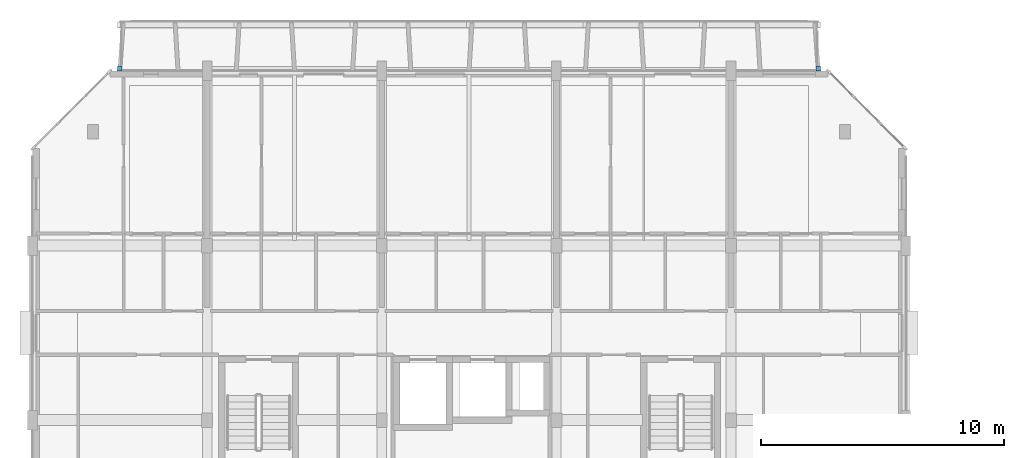
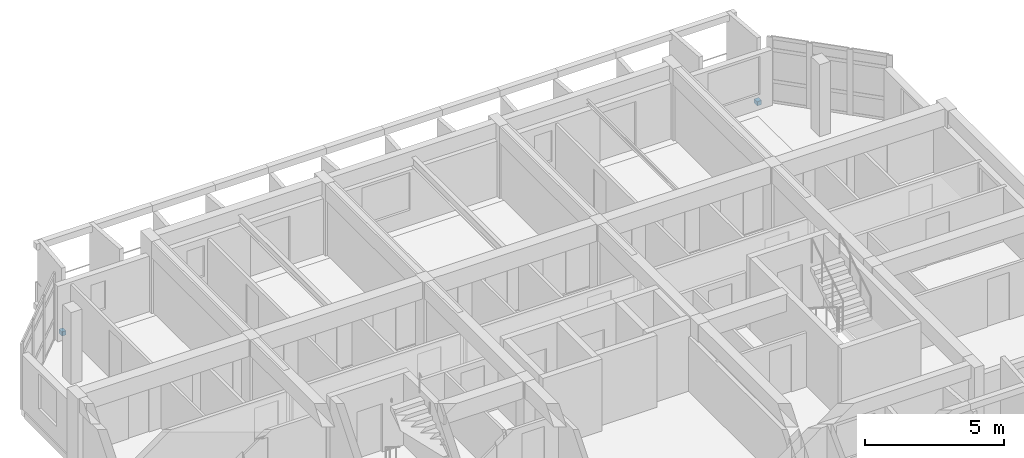
# One storey, part 32 of 45: 2 discrete accessories.
"""IFC4 building model written with IfcOpenShell, lengths in metres."""

from ifc_helpers import new_model, si_unit, direction, frame, origin, origin_2d, place, context, subcontext, project, spatial, rectangle, extrude, material, type_object, element, save


model = new_model("IFC4")

# Units and contexts
model_context = context("Model", 3, precision=1e-05, world=origin(), true_north=direction((0.0, 1.0)))
body_context = subcontext(model_context, "Body", "Model", "MODEL_VIEW")
ifc_project = project(units=[si_unit("LENGTHUNIT", "METRE"), si_unit("AREAUNIT", "SQUARE_METRE"), si_unit("VOLUMEUNIT", "CUBIC_METRE"), si_unit("PLANEANGLEUNIT", "RADIAN"), si_unit("MASSUNIT", "GRAM", prefix="KILO")], contexts=[model_context])

# Site, building, storey
site_placement = place(None, origin())
site = spatial("IfcSite", under=ifc_project, at=site_placement, CompositionType="ELEMENT")
building_placement = place(site_placement, origin())
building = spatial("IfcBuilding", under=site, at=building_placement, Name="Ochrevale Crest", CompositionType="ELEMENT")
storey_placement = place(building_placement, frame((0.0, 0.0, 18.14990234375)))
storey = spatial("IfcBuildingStorey", under=building, at=storey_placement, Name="L05", CompositionType="ELEMENT", Elevation=18.14990234375)

# Discrete accessories
ifc_material = material(Name="Galvanised steel", Category="steel")
discrete_accessory_type = type_object("IfcDiscreteAccessoryType", Name="ACC-BRK-HC", PredefinedType="BRACKET", material=ifc_material)
for number, where, z_axis, x_axis, name in (
    (1, (3.60009765625, 93.699951171875, 0.0), (0.0, 0.0, 1.0), (1.0, 0.0, 0.0), "Block B L05 precast loggia corbel bracket"),
    (2, (32.39990234375, 93.699951171875, 0.0), (0.0, 0.0, 1.0), (1.0, 0.0, 0.0), "Block B L05 precast loggia corbel bracket"),
):
    element("IfcDiscreteAccessory", number, at=place(storey_placement, frame(where, z_axis=z_axis, x_axis=x_axis)), inside=storey, type_object=discrete_accessory_type, Name=name, PredefinedType="BRACKET", context=body_context, shape_type="SweptSolid", body=[
        extrude(rectangle(XDim=0.179931640625, YDim=0.219970703125, at=origin_2d()), origin(), (0.0, 0.0, 1.0), 0.179931640625),
    ])

save(model, "model.ifc")
